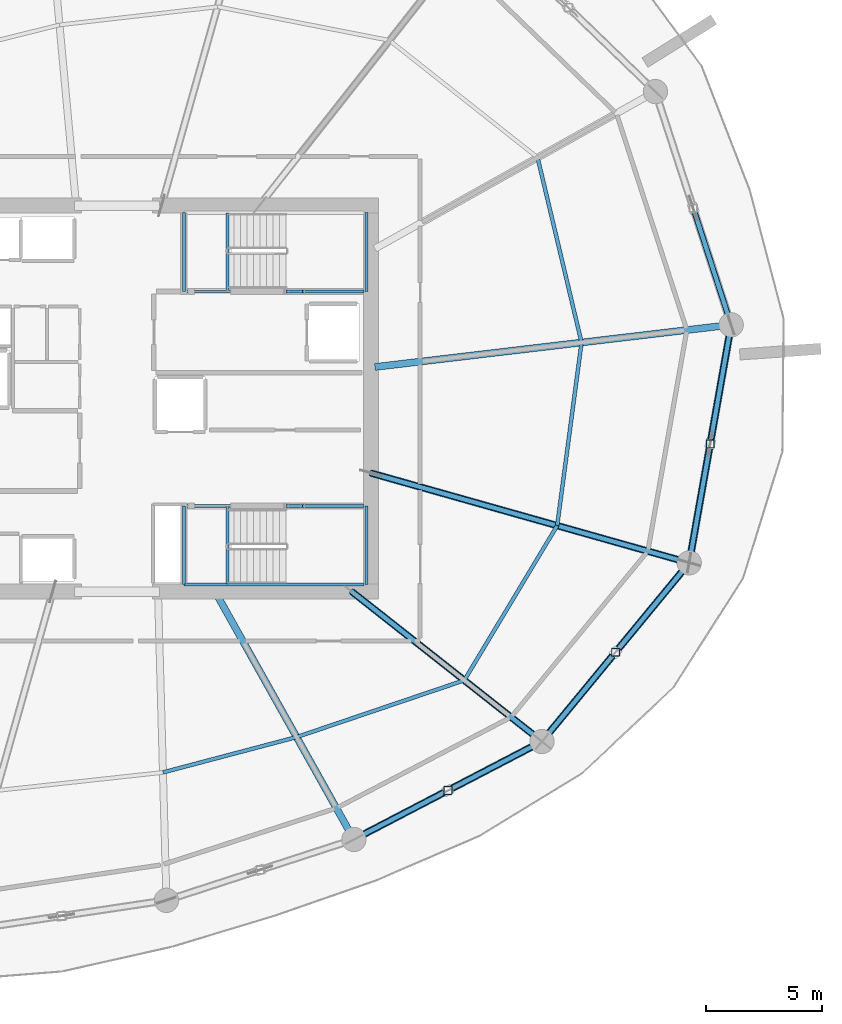
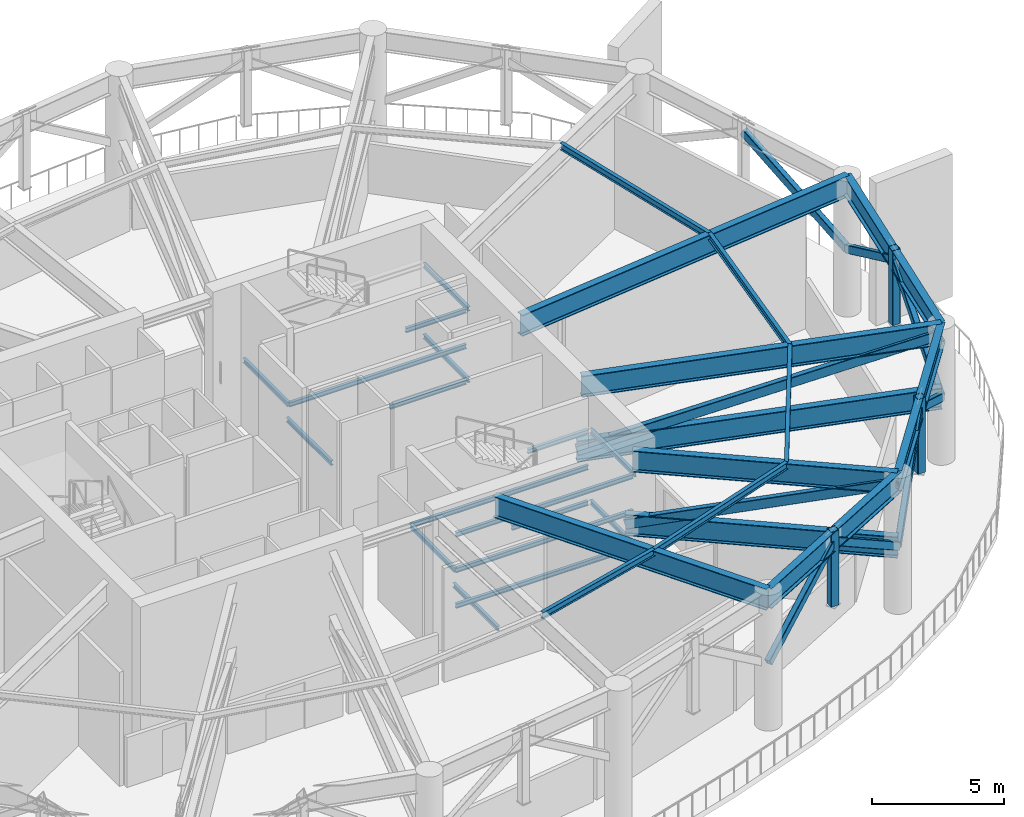
# One storey, part 6 of 20: 31 beams, 12 members.
"""IFC4 building model written with IfcOpenShell, lengths in metres."""

from ifc_helpers import new_model, si_unit, direction, frame, origin, origin_2d, place, context, subcontext, project, spatial, hollow_rectangle, i_section, extrude, material, material_profile, profile_set, type_object, element, save


model = new_model("IFC4")

# Units and contexts
model_context = context("Model", 3, precision=1e-05, world=origin(), true_north=direction((0.0, 1.0)))
body_context = subcontext(model_context, "Body", "Model", "MODEL_VIEW")
ifc_project = project(units=[si_unit("LENGTHUNIT", "METRE"), si_unit("AREAUNIT", "SQUARE_METRE"), si_unit("VOLUMEUNIT", "CUBIC_METRE"), si_unit("PLANEANGLEUNIT", "RADIAN"), si_unit("MASSUNIT", "GRAM", prefix="KILO")], contexts=[model_context])

# Site, building, storey
site_placement = place(None, origin())
site = spatial("IfcSite", under=ifc_project, at=site_placement, CompositionType="ELEMENT")
building_placement = place(site_placement, origin())
building = spatial("IfcBuilding", under=site, at=building_placement, Name="Kazma Halo Residences", CompositionType="ELEMENT")
storey_placement = place(building_placement, frame((0.0, 0.0, 225.300048828125)))
storey = spatial("IfcBuildingStorey", under=building, at=storey_placement, Name="L57", CompositionType="ELEMENT", Elevation=225.300048828125)

# Beams
ifc_material = material(Name="Steel S355", Category="steel")
ifc_material_profile_1 = material_profile(ifc_material, i_section(OverallWidth=0.30908203125, OverallDepth=0.931884765625, WebThickness=0.02099609375, FlangeThickness=0.034423828125, FilletRadius=0.02392578125, at=origin_2d()), Name="W920x313")
ifc_profile_set_1 = profile_set([ifc_material_profile_1], Name="Steel S355")
beam_type_1 = type_object("IfcBeamType", Name="BM-BELT-W920A", PredefinedType="BEAM", material=ifc_profile_set_1)
beam_1_placement = place(storey_placement, frame((58.645263671875, 22.99169921875, 5.81396484375), z_axis=(0.886958293318, 0.46184952735, 0.0), x_axis=(-0.46184952735, 0.886958293318, 0.0)))
element("IfcBeam", 1, at=beam_1_placement, inside=storey, type_object=beam_type_1, Name="L57 perimeter ring beam 13", PredefinedType="BEAM", context=body_context, shape_type="SweptSolid", body=[
    extrude(i_section(OverallWidth=0.30908203125, OverallDepth=0.931884765625, WebThickness=0.02099609375, FlangeThickness=0.034423828125, FilletRadius=0.02392578125, at=origin_2d()), origin(), (0.0, 0.0, 1.0), 9.1435546875),
])
beam_2_placement = place(storey_placement, frame((66.755126953125, 27.214599609375, 5.81396484375), z_axis=(0.636004604932, 0.771685261299, 0.0), x_axis=(-0.771685261299, 0.636004604932, 0.0)))
element("IfcBeam", 2, at=beam_2_placement, inside=storey, type_object=beam_type_1, Name="L57 perimeter ring beam 14", PredefinedType="BEAM", context=body_context, shape_type="SweptSolid", body=[
    extrude(i_section(OverallWidth=0.30908203125, OverallDepth=0.931884765625, WebThickness=0.02099609375, FlangeThickness=0.034423828125, FilletRadius=0.02392578125, at=origin_2d()), origin(), (0.0, 0.0, 1.0), 9.98486328125),
])
beam_3_placement = place(storey_placement, frame((73.10546875, 34.919677734375, 5.81396484375), z_axis=(0.173635695552, 0.984809953864, 0.0), x_axis=(-0.984809953864, 0.173635695552, 0.0)))
element("IfcBeam", 3, at=beam_3_placement, inside=storey, type_object=beam_type_1, Name="L57 perimeter ring beam 15", PredefinedType="BEAM", context=body_context, shape_type="SweptSolid", body=[
    extrude(i_section(OverallWidth=0.30908203125, OverallDepth=0.931884765625, WebThickness=0.02099609375, FlangeThickness=0.034423828125, FilletRadius=0.02392578125, at=origin_2d()), origin(), (0.0, 0.0, 1.0), 10.424560546875),
])
ifc_material_profile_2 = material_profile(ifc_material, i_section(OverallWidth=0.300048828125, OverallDepth=0.98193359375, WebThickness=0.0166015625, FlangeThickness=0.032958984375, FilletRadius=0.02587890625, at=origin_2d()), Name="W1000x296")
ifc_profile_set_2 = profile_set([ifc_material_profile_2], Name="Steel S355")
beam_type_2 = type_object("IfcBeamType", Name="BM-OUTR-W1000C", PredefinedType="BEAM", material=ifc_profile_set_2)
beam_4_placement = place(storey_placement, frame((52.76025390625, 33.5, 5.7890625), z_axis=(0.488626207297, -0.872493226073, 0.0), x_axis=(0.872493226073, 0.488626207297, 0.0)))
element("IfcBeam", 4, at=beam_4_placement, inside=storey, type_object=beam_type_2, Name="L57 radial floor beam 13", PredefinedType="BEAM", context=body_context, shape_type="SweptSolid", body=[
    extrude(i_section(OverallWidth=0.300048828125, OverallDepth=0.98193359375, WebThickness=0.0166015625, FlangeThickness=0.032958984375, FilletRadius=0.02587890625, at=origin_2d()), origin(), (0.0, 0.0, 1.0), 12.0439453125),
])
beam_5_placement = place(storey_placement, frame((58.7822265625, 33.5, 5.7890625), z_axis=(0.785313457857, -0.619098354794, 0.0), x_axis=(0.619098354794, 0.785313457857, 0.0)))
element("IfcBeam", 5, at=beam_5_placement, inside=storey, type_object=beam_type_2, Name="L57 radial floor beam 14", PredefinedType="BEAM", context=body_context, shape_type="SweptSolid", body=[
    extrude(i_section(OverallWidth=0.300048828125, OverallDepth=0.98193359375, WebThickness=0.0166015625, FlangeThickness=0.032958984375, FilletRadius=0.02587890625, at=origin_2d()), origin(), (0.0, 0.0, 1.0), 10.152587890625),
])
beam_6_placement = place(storey_placement, frame((59.550048828125, 38.74267578125, 5.7890625), z_axis=(0.962455714271, -0.271438755647, 0.0), x_axis=(0.271438755647, 0.962455714271, 0.0)))
element("IfcBeam", 6, at=beam_6_placement, inside=storey, type_object=beam_type_2, Name="L57 radial floor beam 15", PredefinedType="BEAM", context=body_context, shape_type="SweptSolid", body=[
    extrude(i_section(OverallWidth=0.300048828125, OverallDepth=0.98193359375, WebThickness=0.0166015625, FlangeThickness=0.032958984375, FilletRadius=0.02587890625, at=origin_2d()), origin(), (0.0, 0.0, 1.0), 14.084228515625),
])
beam_7_placement = place(storey_placement, frame((59.550048828125, 43.366943359375, 5.7890625), z_axis=(0.993066771361, 0.117551638093, 0.0), x_axis=(-0.117551638093, 0.993066771361, 0.0)))
element("IfcBeam", 7, at=beam_7_placement, inside=storey, type_object=beam_type_2, Name="L57 radial floor beam 16", PredefinedType="BEAM", context=body_context, shape_type="SweptSolid", body=[
    extrude(i_section(OverallWidth=0.300048828125, OverallDepth=0.98193359375, WebThickness=0.0166015625, FlangeThickness=0.032958984375, FilletRadius=0.02587890625, at=origin_2d()), origin(), (0.0, 0.0, 1.0), 15.47265625),
])
beam_8_placement = place(storey_placement, frame((58.560302734375, 33.675048828125, 2.820068359375), z_axis=(0.785308977162, -0.619104038421, 0.0), x_axis=(0.619104038421, 0.785308977162, 0.0)))
element("IfcBeam", 8, at=beam_8_placement, inside=storey, type_object=beam_type_2, Name="L57 radial outrigger bottom chord 07", PredefinedType="BEAM", context=body_context, shape_type="SweptSolid", body=[
    extrude(i_section(OverallWidth=0.300048828125, OverallDepth=0.98193359375, WebThickness=0.0166015625, FlangeThickness=0.032958984375, FilletRadius=0.02587890625, at=origin_2d()), origin(), (0.0, 0.0, 1.0), 10.43505859375),
])
beam_9_placement = place(storey_placement, frame((59.375, 38.7919921875, 2.820068359375), z_axis=(0.962456669017, -0.271435370328, 0.0), x_axis=(0.271435370328, 0.962456669017, 0.0)))
element("IfcBeam", 9, at=beam_9_placement, inside=storey, type_object=beam_type_2, Name="L57 radial outrigger bottom chord 08", PredefinedType="BEAM", context=body_context, shape_type="SweptSolid", body=[
    extrude(i_section(OverallWidth=0.300048828125, OverallDepth=0.98193359375, WebThickness=0.0166015625, FlangeThickness=0.032958984375, FilletRadius=0.02587890625, at=origin_2d()), origin(), (0.0, 0.0, 1.0), 14.26611328125),
])
ifc_material_profile_3 = material_profile(ifc_material, i_section(OverallWidth=0.1650390625, OverallDepth=0.31005859375, WebThickness=0.005859375, FlangeThickness=0.009765625, FilletRadius=0.011962890625, at=origin_2d()), Name="W310x38.7")
ifc_profile_set_3 = profile_set([ifc_material_profile_3], Name="Steel S355")
beam_type_3 = type_object("IfcBeamType", Name="BM-SEC-W310B", PredefinedType="JOIST", material=ifc_profile_set_3)
beam_10_placement = place(storey_placement, frame((50.4091796875, 25.881591796875, 6.125), z_axis=(0.966806147025, 0.255511005779, 0.0), x_axis=(-0.255511005779, 0.966806147025, 0.0)))
element("IfcBeam", 10, at=beam_10_placement, inside=storey, type_object=beam_type_3, Name="L57 circumferential floor joist 12", PredefinedType="JOIST", context=body_context, shape_type="SweptSolid", body=[
    extrude(i_section(OverallWidth=0.1650390625, OverallDepth=0.31005859375, WebThickness=0.005859375, FlangeThickness=0.009765625, FilletRadius=0.011962890625, at=origin_2d()), origin(), (0.0, 0.0, 1.0), 5.96240234375),
])
beam_11_placement = place(storey_placement, frame((56.173583984375, 27.405029296875, 6.125), z_axis=(0.947160242691, 0.320760774823, 0.0), x_axis=(-0.320760774823, 0.947160242691, 0.0)))
element("IfcBeam", 11, at=beam_11_placement, inside=storey, type_object=beam_type_3, Name="L57 circumferential floor joist 13", PredefinedType="JOIST", context=body_context, shape_type="SweptSolid", body=[
    extrude(i_section(OverallWidth=0.1650390625, OverallDepth=0.31005859375, WebThickness=0.005859375, FlangeThickness=0.009765625, FilletRadius=0.011962890625, at=origin_2d()), origin(), (0.0, 0.0, 1.0), 7.636474609375),
])
beam_12_placement = place(storey_placement, frame((63.406494140625, 29.8544921875, 6.125), z_axis=(0.514786415493, 0.857318462664, 0.0), x_axis=(-0.857318462664, 0.514786415493, 0.0)))
element("IfcBeam", 12, at=beam_12_placement, inside=storey, type_object=beam_type_3, Name="L57 circumferential floor joist 14", PredefinedType="JOIST", context=body_context, shape_type="SweptSolid", body=[
    extrude(i_section(OverallWidth=0.1650390625, OverallDepth=0.31005859375, WebThickness=0.005859375, FlangeThickness=0.009765625, FilletRadius=0.011962890625, at=origin_2d()), origin(), (0.0, 0.0, 1.0), 7.781005859375),
])
beam_13_placement = place(storey_placement, frame((67.412109375, 36.525390625, 6.125), z_axis=(0.131786298749, 0.991278150401, 0.0), x_axis=(-0.991278150401, 0.131786298749, 0.0)))
element("IfcBeam", 13, at=beam_13_placement, inside=storey, type_object=beam_type_3, Name="L57 circumferential floor joist 15", PredefinedType="JOIST", context=body_context, shape_type="SweptSolid", body=[
    extrude(i_section(OverallWidth=0.1650390625, OverallDepth=0.31005859375, WebThickness=0.005859375, FlangeThickness=0.009765625, FilletRadius=0.011962890625, at=origin_2d()), origin(), (0.0, 0.0, 1.0), 7.966064453125),
])
beam_14_placement = place(storey_placement, frame((68.4619140625, 44.421875, 6.125), z_axis=(-0.231188363292, 0.972909009455, 0.0), x_axis=(-0.972909009455, -0.231188363292, 0.0)))
element("IfcBeam", 14, at=beam_14_placement, inside=storey, type_object=beam_type_3, Name="L57 circumferential floor joist 16", PredefinedType="JOIST", context=body_context, shape_type="SweptSolid", body=[
    extrude(i_section(OverallWidth=0.1650390625, OverallDepth=0.31005859375, WebThickness=0.005859375, FlangeThickness=0.009765625, FilletRadius=0.011962890625, at=origin_2d()), origin(), (0.0, 0.0, 1.0), 8.197998046875),
])
ifc_material_profile_4 = material_profile(ifc_material, i_section(OverallWidth=0.133056640625, OverallDepth=0.20703125, WebThickness=0.005859375, FlangeThickness=0.00830078125, FilletRadius=0.010009765625, at=origin_2d()), Name="W200x26.6")
ifc_profile_set_4 = profile_set([ifc_material_profile_4], Name="Steel S355")
beam_type_4 = type_object("IfcBeamType", Name="BM-TRIM-W200", PredefinedType="BEAM", material=ifc_profile_set_4)
for number, where, z_axis, x_axis, name in (
    (15, (53.199951171875, 46.6201171875, -0.39013671875), (0.0, 1.0, 0.0), (-1.0, 0.0, 0.0), "L57 ST-02 floor landing support beam"),
    (16, (53.199951171875, 34.0, -0.39013671875), (0.0, 1.0, 0.0), (-1.0, 0.0, 0.0), "L57 ST-03 floor landing support beam"),
):
    element("IfcBeam", number, at=place(storey_placement, frame(where, z_axis=z_axis, x_axis=x_axis)), inside=storey, type_object=beam_type_4, Name=name, PredefinedType="BEAM", context=body_context, shape_type="SweptSolid", body=[
        extrude(i_section(OverallWidth=0.133056640625, OverallDepth=0.20703125, WebThickness=0.005859375, FlangeThickness=0.00830078125, FilletRadius=0.010009765625, at=origin_2d()), origin(), (0.0, 0.0, 1.0), 3.3798828125),
    ])
beam_15_placement = place(storey_placement, frame((55.719970703125, 46.6201171875, 1.344970703125), z_axis=(1.0, 0.0, 0.0), x_axis=(0.0, 1.0, 0.0)))
element("IfcBeam", 17, at=beam_15_placement, inside=storey, type_object=beam_type_4, Name="L57 ST-02 landing south wall ledger", PredefinedType="BEAM", context=body_context, shape_type="SweptSolid", body=[
    extrude(i_section(OverallWidth=0.133056640625, OverallDepth=0.20703125, WebThickness=0.005859375, FlangeThickness=0.00830078125, FilletRadius=0.010009765625, at=origin_2d()), origin(), (0.0, 0.0, 1.0), 3.35009765625),
])
beam_16_placement = place(storey_placement, frame((59.18994140625, 46.6201171875, 1.344970703125), z_axis=(0.0, 1.0, 0.0), x_axis=(-1.0, 0.0, 0.0)))
element("IfcBeam", 18, at=beam_16_placement, inside=storey, type_object=beam_type_4, Name="L57 ST-02 landing end wall ledger", PredefinedType="BEAM", context=body_context, shape_type="SweptSolid", body=[
    extrude(i_section(OverallWidth=0.133056640625, OverallDepth=0.20703125, WebThickness=0.005859375, FlangeThickness=0.00830078125, FilletRadius=0.010009765625, at=origin_2d()), origin(), (0.0, 0.0, 1.0), 3.39990234375),
])
beam_17_placement = place(storey_placement, frame((51.31005859375, 46.6201171875, 2.994873046875), z_axis=(1.0, 0.0, 0.0), x_axis=(0.0, 1.0, 0.0)))
element("IfcBeam", 19, at=beam_17_placement, inside=storey, type_object=beam_type_4, Name="L57 ST-02 landing south wall ledger", PredefinedType="BEAM", context=body_context, shape_type="SweptSolid", body=[
    extrude(i_section(OverallWidth=0.133056640625, OverallDepth=0.20703125, WebThickness=0.005859375, FlangeThickness=0.00830078125, FilletRadius=0.010009765625, at=origin_2d()), origin(), (0.0, 0.0, 1.0), 7.760009765625),
])
beam_18_placement = place(storey_placement, frame((51.31005859375, 46.6201171875, 2.994873046875), z_axis=(0.0, 1.0, 0.0), x_axis=(-1.0, 0.0, 0.0)))
element("IfcBeam", 20, at=beam_18_placement, inside=storey, type_object=beam_type_4, Name="L57 ST-02 landing end wall ledger", PredefinedType="BEAM", context=body_context, shape_type="SweptSolid", body=[
    extrude(i_section(OverallWidth=0.133056640625, OverallDepth=0.20703125, WebThickness=0.005859375, FlangeThickness=0.00830078125, FilletRadius=0.010009765625, at=origin_2d()), origin(), (0.0, 0.0, 1.0), 3.39990234375),
])
beam_19_placement = place(storey_placement, frame((56.419921875, 46.6201171875, 4.64501953125), z_axis=(1.0, 0.0, 0.0), x_axis=(0.0, 1.0, 0.0)))
element("IfcBeam", 21, at=beam_19_placement, inside=storey, type_object=beam_type_4, Name="L57 ST-02 landing south wall ledger", PredefinedType="BEAM", context=body_context, shape_type="SweptSolid", body=[
    extrude(i_section(OverallWidth=0.133056640625, OverallDepth=0.20703125, WebThickness=0.005859375, FlangeThickness=0.00830078125, FilletRadius=0.010009765625, at=origin_2d()), origin(), (0.0, 0.0, 1.0), 2.650146484375),
])
beam_20_placement = place(storey_placement, frame((59.18994140625, 46.6201171875, 4.64501953125), z_axis=(0.0, 1.0, 0.0), x_axis=(-1.0, 0.0, 0.0)))
element("IfcBeam", 22, at=beam_20_placement, inside=storey, type_object=beam_type_4, Name="L57 ST-02 landing end wall ledger", PredefinedType="BEAM", context=body_context, shape_type="SweptSolid", body=[
    extrude(i_section(OverallWidth=0.133056640625, OverallDepth=0.20703125, WebThickness=0.005859375, FlangeThickness=0.00830078125, FilletRadius=0.010009765625, at=origin_2d()), origin(), (0.0, 0.0, 1.0), 3.39990234375),
])
beam_21_placement = place(storey_placement, frame((51.31005859375, 33.97998046875, 1.344970703125), z_axis=(1.0, 0.0, 0.0), x_axis=(0.0, 1.0, 0.0)))
element("IfcBeam", 23, at=beam_21_placement, inside=storey, type_object=beam_type_4, Name="L57 ST-03 landing south wall ledger", PredefinedType="BEAM", context=body_context, shape_type="SweptSolid", body=[
    extrude(i_section(OverallWidth=0.133056640625, OverallDepth=0.20703125, WebThickness=0.005859375, FlangeThickness=0.00830078125, FilletRadius=0.010009765625, at=origin_2d()), origin(), (0.0, 0.0, 1.0), 7.760009765625),
])
beam_22_placement = place(storey_placement, frame((55.719970703125, 37.3798828125, 1.344970703125), z_axis=(1.0, 0.0, 0.0), x_axis=(0.0, 1.0, 0.0)))
element("IfcBeam", 24, at=beam_22_placement, inside=storey, type_object=beam_type_4, Name="L57 ST-03 landing north wall ledger", PredefinedType="BEAM", context=body_context, shape_type="SweptSolid", body=[
    extrude(i_section(OverallWidth=0.133056640625, OverallDepth=0.20703125, WebThickness=0.005859375, FlangeThickness=0.00830078125, FilletRadius=0.010009765625, at=origin_2d()), origin(), (0.0, 0.0, 1.0), 3.35009765625),
])
beam_23_placement = place(storey_placement, frame((59.18994140625, 33.97998046875, 1.344970703125), z_axis=(0.0, 1.0, 0.0), x_axis=(-1.0, 0.0, 0.0)))
element("IfcBeam", 25, at=beam_23_placement, inside=storey, type_object=beam_type_4, Name="L57 ST-03 landing end wall ledger", PredefinedType="BEAM", context=body_context, shape_type="SweptSolid", body=[
    extrude(i_section(OverallWidth=0.133056640625, OverallDepth=0.20703125, WebThickness=0.005859375, FlangeThickness=0.00830078125, FilletRadius=0.010009765625, at=origin_2d()), origin(), (0.0, 0.0, 1.0), 3.39990234375),
])
for number, where, z_axis, x_axis, name in (
    (26, (51.31005859375, 33.97998046875, 2.994873046875), (1.0, 0.0, 0.0), (0.0, 1.0, 0.0), "L57 ST-03 landing south wall ledger"),
    (27, (51.31005859375, 37.3798828125, 2.994873046875), (1.0, 0.0, 0.0), (0.0, 1.0, 0.0), "L57 ST-03 landing north wall ledger"),
):
    element("IfcBeam", number, at=place(storey_placement, frame(where, z_axis=z_axis, x_axis=x_axis)), inside=storey, type_object=beam_type_4, Name=name, PredefinedType="BEAM", context=body_context, shape_type="SweptSolid", body=[
        extrude(i_section(OverallWidth=0.133056640625, OverallDepth=0.20703125, WebThickness=0.005859375, FlangeThickness=0.00830078125, FilletRadius=0.010009765625, at=origin_2d()), origin(), (0.0, 0.0, 1.0), 7.760009765625),
    ])
beam_24_placement = place(storey_placement, frame((51.31005859375, 33.97998046875, 2.994873046875), z_axis=(0.0, 1.0, 0.0), x_axis=(-1.0, 0.0, 0.0)))
element("IfcBeam", 28, at=beam_24_placement, inside=storey, type_object=beam_type_4, Name="L57 ST-03 landing end wall ledger", PredefinedType="BEAM", context=body_context, shape_type="SweptSolid", body=[
    extrude(i_section(OverallWidth=0.133056640625, OverallDepth=0.20703125, WebThickness=0.005859375, FlangeThickness=0.00830078125, FilletRadius=0.010009765625, at=origin_2d()), origin(), (0.0, 0.0, 1.0), 3.39990234375),
])
beam_25_placement = place(storey_placement, frame((51.31005859375, 33.97998046875, 4.64501953125), z_axis=(1.0, 0.0, 0.0), x_axis=(0.0, 1.0, 0.0)))
element("IfcBeam", 29, at=beam_25_placement, inside=storey, type_object=beam_type_4, Name="L57 ST-03 landing south wall ledger", PredefinedType="BEAM", context=body_context, shape_type="SweptSolid", body=[
    extrude(i_section(OverallWidth=0.133056640625, OverallDepth=0.20703125, WebThickness=0.005859375, FlangeThickness=0.00830078125, FilletRadius=0.010009765625, at=origin_2d()), origin(), (0.0, 0.0, 1.0), 7.760009765625),
])
beam_26_placement = place(storey_placement, frame((56.419921875, 37.3798828125, 4.64501953125), z_axis=(1.0, 0.0, 0.0), x_axis=(0.0, 1.0, 0.0)))
element("IfcBeam", 30, at=beam_26_placement, inside=storey, type_object=beam_type_4, Name="L57 ST-03 landing north wall ledger", PredefinedType="BEAM", context=body_context, shape_type="SweptSolid", body=[
    extrude(i_section(OverallWidth=0.133056640625, OverallDepth=0.20703125, WebThickness=0.005859375, FlangeThickness=0.00830078125, FilletRadius=0.010009765625, at=origin_2d()), origin(), (0.0, 0.0, 1.0), 2.650146484375),
])
beam_27_placement = place(storey_placement, frame((59.18994140625, 33.97998046875, 4.64501953125), z_axis=(0.0, 1.0, 0.0), x_axis=(-1.0, 0.0, 0.0)))
element("IfcBeam", 31, at=beam_27_placement, inside=storey, type_object=beam_type_4, Name="L57 ST-03 landing end wall ledger", PredefinedType="BEAM", context=body_context, shape_type="SweptSolid", body=[
    extrude(i_section(OverallWidth=0.133056640625, OverallDepth=0.20703125, WebThickness=0.005859375, FlangeThickness=0.00830078125, FilletRadius=0.010009765625, at=origin_2d()), origin(), (0.0, 0.0, 1.0), 3.39990234375),
])

# Members
ifc_material_profile_5 = material_profile(ifc_material, hollow_rectangle(XDim=0.25, YDim=0.35009765625, WallThickness=0.01611328125, InnerFilletRadius=0.01611328125, OuterFilletRadius=0.031982421875, at=origin_2d()), Name="RHS350x250x16")
ifc_profile_set_5 = profile_set([ifc_material_profile_5], Name="Steel S355")
member_type_1 = type_object("IfcMemberType", Name="MBR-BELT-RHS350", PredefinedType="BRACE", material=ifc_profile_set_5)
member_1_placement = place(storey_placement, frame((58.645263671875, 22.99169921875, 2.820068359375), z_axis=(0.746024449225, 0.388441172671, 0.540889061206), x_axis=(-0.461828521312, 0.886969231091, 0.0)))
element("IfcMember", 32, at=member_1_placement, inside=storey, type_object=member_type_1, Name="L57 belt-truss chevron diagonal 13A", PredefinedType="BRACE", context=body_context, shape_type="SweptSolid", body=[
    extrude(hollow_rectangle(XDim=0.25, YDim=0.35009765625, WallThickness=0.01611328125, InnerFilletRadius=0.01611328125, OuterFilletRadius=0.031982421875, at=origin_2d()), origin(), (0.0, 0.0, 1.0), 5.435302734375),
])
member_2_placement = place(storey_placement, frame((66.755126953125, 27.214599609375, 2.820068359375), z_axis=(-0.746011432503, -0.3884793112, 0.54087962371), x_axis=(0.461870532611, -0.886947355318, 0.0)))
element("IfcMember", 33, at=member_2_placement, inside=storey, type_object=member_type_1, Name="L57 belt-truss chevron diagonal 13B", PredefinedType="BRACE", context=body_context, shape_type="SweptSolid", body=[
    extrude(hollow_rectangle(XDim=0.25, YDim=0.35009765625, WallThickness=0.01611328125, InnerFilletRadius=0.01611328125, OuterFilletRadius=0.031982421875, at=origin_2d()), origin(), (0.0, 0.0, 1.0), 5.435546875),
])
for number, where, z_axis, x_axis, name in (
    (34, (66.755126953125, 27.214599609375, 2.820068359375), (0.548052766399, 0.664944844977, 0.507431294247), (-0.771673260728, 0.636019165338, 0.0), "L57 belt-truss chevron diagonal 14A"),
    (35, (73.10546875, 34.919677734375, 2.820068359375), (-0.548023283705, -0.66496020122, 0.50744301287), (0.771697261968, -0.635990043846, 0.0), "L57 belt-truss chevron diagonal 14B"),
):
    element("IfcMember", number, at=place(storey_placement, frame(where, z_axis=z_axis, x_axis=x_axis)), inside=storey, type_object=member_type_1, Name=name, PredefinedType="BRACE", context=body_context, shape_type="SweptSolid", body=[
        extrude(hollow_rectangle(XDim=0.25, YDim=0.35009765625, WallThickness=0.01611328125, InnerFilletRadius=0.01611328125, OuterFilletRadius=0.031982421875, at=origin_2d()), origin(), (0.0, 0.0, 1.0), 5.793701171875),
    ])
member_3_placement = place(storey_placement, frame((73.10546875, 34.919677734375, 2.820068359375), z_axis=(0.15124186127, 0.857757996048, 0.491301454928), x_axis=(-0.984808541572, 0.173643705461, 0.0)))
element("IfcMember", 36, at=member_3_placement, inside=storey, type_object=member_type_1, Name="L57 belt-truss chevron diagonal 15A", PredefinedType="BRACE", context=body_context, shape_type="SweptSolid", body=[
    extrude(hollow_rectangle(XDim=0.25, YDim=0.35009765625, WallThickness=0.01611328125, InnerFilletRadius=0.01611328125, OuterFilletRadius=0.031982421875, at=origin_2d()), origin(), (0.0, 0.0, 1.0), 5.98388671875),
])
member_4_placement = place(storey_placement, frame((74.91552734375, 45.185791015625, 2.820068359375), z_axis=(-0.15123127626, -0.857779556151, 0.491267070064), x_axis=(0.984811365961, -0.17362768637, 0.0)))
element("IfcMember", 37, at=member_4_placement, inside=storey, type_object=member_type_1, Name="L57 belt-truss chevron diagonal 15B", PredefinedType="BRACE", context=body_context, shape_type="SweptSolid", body=[
    extrude(hollow_rectangle(XDim=0.25, YDim=0.35009765625, WallThickness=0.01611328125, InnerFilletRadius=0.01611328125, OuterFilletRadius=0.031982421875, at=origin_2d()), origin(), (0.0, 0.0, 1.0), 5.984375),
])
member_5_placement = place(storey_placement, frame((74.91552734375, 45.185791015625, 2.820068359375), z_axis=(-0.270089107315, 0.831211031297, 0.48594248174), x_axis=(-0.951052389726, -0.30902969436, 0.0)))
element("IfcMember", 38, at=member_5_placement, inside=storey, type_object=member_type_1, Name="L57 belt-truss chevron diagonal 16A", PredefinedType="BRACE", context=body_context, shape_type="SweptSolid", body=[
    extrude(hollow_rectangle(XDim=0.25, YDim=0.35009765625, WallThickness=0.01611328125, InnerFilletRadius=0.01611328125, OuterFilletRadius=0.031982421875, at=origin_2d()), origin(), (0.0, 0.0, 1.0), 6.050048828125),
])
ifc_material_profile_6 = material_profile(ifc_material, hollow_rectangle(XDim=0.25, YDim=0.449951171875, WallThickness=0.01611328125, InnerFilletRadius=0.01611328125, OuterFilletRadius=0.031982421875, at=origin_2d()), Name="RHS450x250x16")
ifc_profile_set_6 = profile_set([ifc_material_profile_6], Name="Steel S355")
member_type_2 = type_object("IfcMemberType", Name="MBR-OUTR-RHS450", PredefinedType="BRACE", material=ifc_profile_set_6)
member_6_placement = place(storey_placement, frame((58.560302734375, 33.675048828125, 2.820068359375), z_axis=(0.755882954412, -0.595905819569, 0.271177457458), x_axis=(0.619104038421, 0.785308977162, 0.0)))
element("IfcMember", 39, at=member_6_placement, inside=storey, type_object=member_type_2, Name="L57 radial outrigger truss brace 07", PredefinedType="BRACE", context=body_context, shape_type="SweptSolid", body=[
    extrude(hollow_rectangle(XDim=0.25, YDim=0.449951171875, WallThickness=0.01611328125, InnerFilletRadius=0.01611328125, OuterFilletRadius=0.031982421875, at=origin_2d()), origin(), (0.0, 0.0, 1.0), 10.84130859375),
])
member_7_placement = place(storey_placement, frame((59.375, 38.7919921875, 2.820068359375), z_axis=(0.942648267129, -0.265848936076, 0.201838023342), x_axis=(0.271435370328, 0.962456669017, 0.0)))
element("IfcMember", 40, at=member_7_placement, inside=storey, type_object=member_type_2, Name="L57 radial outrigger truss brace 08", PredefinedType="BRACE", context=body_context, shape_type="SweptSolid", body=[
    extrude(hollow_rectangle(XDim=0.25, YDim=0.449951171875, WallThickness=0.01611328125, InnerFilletRadius=0.01611328125, OuterFilletRadius=0.031982421875, at=origin_2d()), origin(), (0.0, 0.0, 1.0), 14.56591796875),
])
ifc_material_profile_7 = material_profile(ifc_material, hollow_rectangle(XDim=0.35009765625, YDim=0.35009765625, WallThickness=0.01611328125, InnerFilletRadius=0.01611328125, OuterFilletRadius=0.031982421875, at=origin_2d()), Name="SHS350x350x16")
ifc_profile_set_7 = profile_set([ifc_material_profile_7], Name="Steel S355")
member_type_3 = type_object("IfcMemberType", Name="MBR-POST-SHS350", PredefinedType="STRUT", material=ifc_profile_set_7)
for number, where, z_axis, x_axis, name in (
    (41, (62.7001953125, 25.10302734375, 2.820068359375), (0.0, 0.0, 1.0), (1.0, 0.0, 0.0), "L57 belt-truss web post 13"),
    (42, (69.930419921875, 31.067138671875, 2.820068359375), (0.0, 0.0, 1.0), (1.0, 0.0, 0.0), "L57 belt-truss web post 14"),
    (43, (74.010498046875, 40.052490234375, 2.820068359375), (0.0, 0.0, 1.0), (1.0, 0.0, 0.0), "L57 belt-truss web post 15"),
):
    element("IfcMember", number, at=place(storey_placement, frame(where, z_axis=z_axis, x_axis=x_axis)), inside=storey, type_object=member_type_3, Name=name, PredefinedType="STRUT", context=body_context, shape_type="SweptSolid", body=[
        extrude(hollow_rectangle(XDim=0.35009765625, YDim=0.35009765625, WallThickness=0.01611328125, InnerFilletRadius=0.01611328125, OuterFilletRadius=0.031982421875, at=origin_2d()), origin(), (0.0, 0.0, 1.0), 3.4599609375),
    ])

save(model, "model.ifc")
